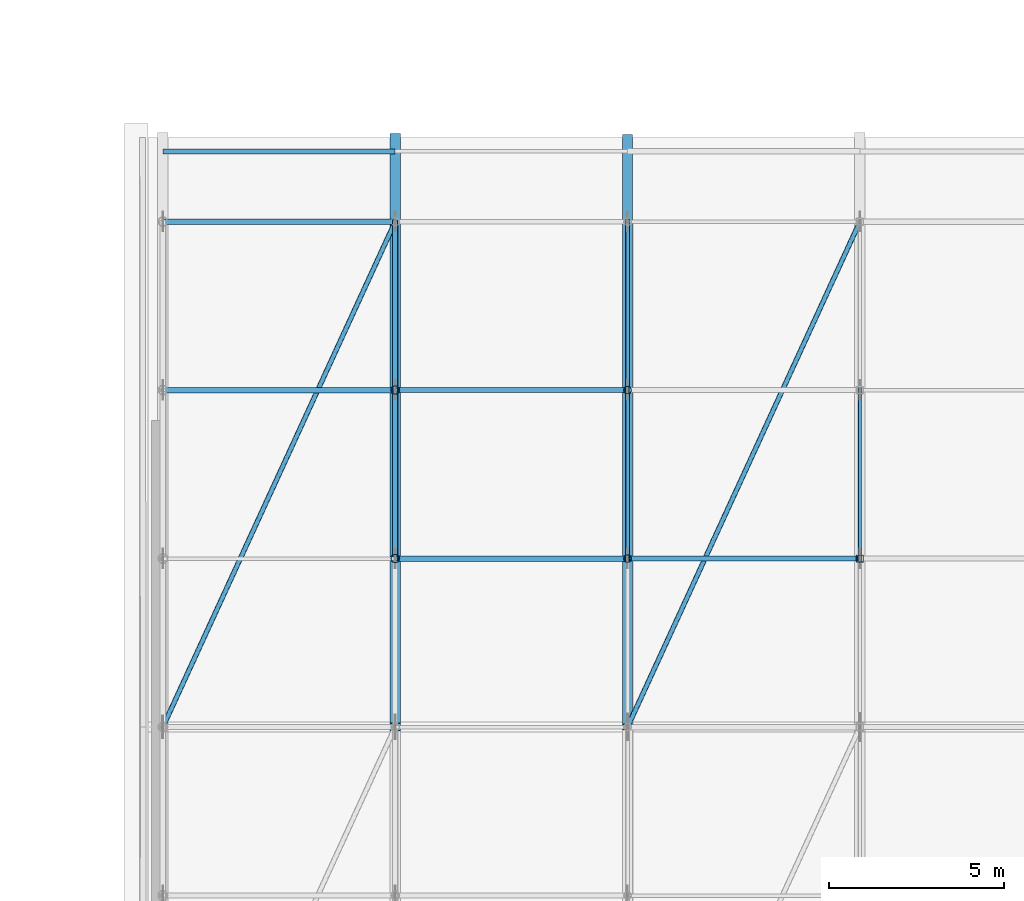
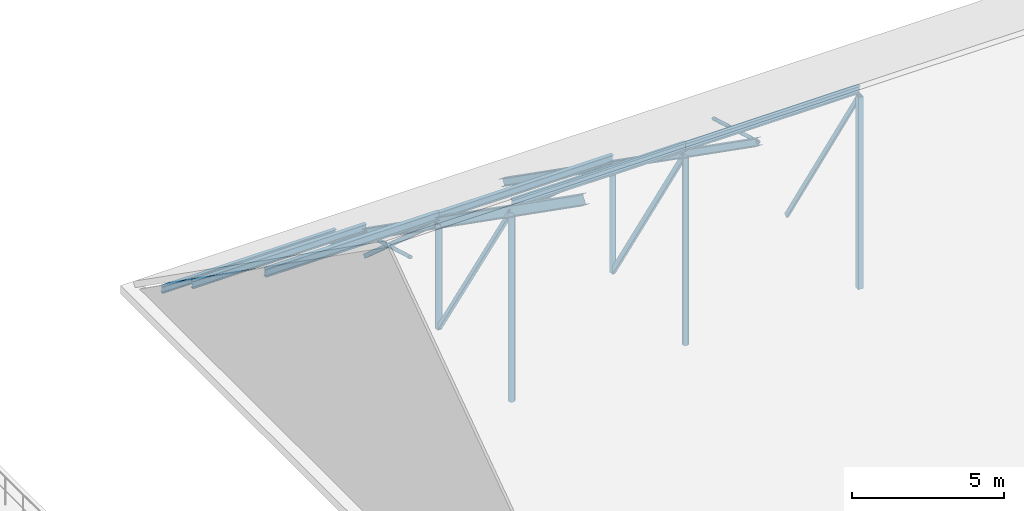
# One storey, part 62 of 134: 20 members.
"""IFC4 building model written with IfcOpenShell, lengths in metres."""

from ifc_helpers import new_model, si_unit, direction, frame, origin, origin_2d, place, context, subcontext, project, spatial, hollow_rectangle, hollow_circle, i_section, extrude, material, material_profile, profile_set, type_object, element, save


model = new_model("IFC4")

# Units and contexts
model_context = context("Model", 3, precision=1e-05, world=origin(), true_north=direction((0.0, 1.0)))
body_context = subcontext(model_context, "Body", "Model", "MODEL_VIEW")
ifc_project = project(units=[si_unit("LENGTHUNIT", "METRE"), si_unit("AREAUNIT", "SQUARE_METRE"), si_unit("VOLUMEUNIT", "CUBIC_METRE"), si_unit("PLANEANGLEUNIT", "RADIAN"), si_unit("MASSUNIT", "GRAM", prefix="KILO")], contexts=[model_context])

# Site, building, storey
site_placement = place(None, origin())
site = spatial("IfcSite", under=ifc_project, at=site_placement, CompositionType="ELEMENT")
building_placement = place(site_placement, origin())
building = spatial("IfcBuilding", under=site, at=building_placement, Name="Asteropetra Specialist Clinic", CompositionType="ELEMENT")
storey_placement = place(building_placement, frame((0.0, 0.0, 8.5)))
storey = spatial("IfcBuildingStorey", under=building, at=storey_placement, Name="L02", CompositionType="ELEMENT", Elevation=8.5)

# Members
ifc_material_1 = material(Name="Steel S355", Category="steel")
ifc_material_profile_1 = material_profile(ifc_material_1, hollow_circle(Radius=0.06982421875, WallThickness=0.008056640625, at=origin_2d()), Name="CHS 139.7x8.0")
ifc_profile_set_1 = profile_set([ifc_material_profile_1], Name="Steel S355")
member_type_1 = type_object("IfcMemberType", Name="TR-BRC-CHS139", PredefinedType="BRACE", material=ifc_profile_set_1)
for number, where, z_axis, x_axis, name in (
    (1, (86.89990234375, 91.199951171875, 11.4609375), (0.352109794098, 0.765912818458, -0.53795561845), (-0.908585056551, 0.417699886297, 0.0), "Roof Wind Brace TRV1-RB2-01"),
    (2, (100.139892578125, 91.199951171875, 11.4609375), (0.352109794098, 0.765912818458, -0.53795561845), (-0.908585056551, 0.417699886297, 0.0), "Roof Wind Brace TRV1-RB2-03"),
):
    element("IfcMember", number, at=place(storey_placement, frame(where, z_axis=z_axis, x_axis=x_axis)), inside=storey, type_object=member_type_1, Name=name, PredefinedType="BRACE", context=body_context, shape_type="SweptSolid", body=[
        extrude(hollow_circle(Radius=0.06982421875, WallThickness=0.008056640625, at=origin_2d()), origin(), (0.0, 0.0, 1.0), 18.80126953125),
    ])
ifc_material_2 = material(Name="Steel S355", Category="steel")
ifc_material_profile_2 = material_profile(ifc_material_2, hollow_rectangle(XDim=0.10009765625, YDim=0.179931640625, WallThickness=0.008056640625, InnerFilletRadius=0.008056640625, OuterFilletRadius=0.01611328125, at=origin_2d()), Name="RHS 180x100x8.0")
ifc_profile_set_2 = profile_set([ifc_material_profile_2], Name="Steel S355")
member_type_2 = type_object("IfcMemberType", Name="TR-BRC-RHS180", PredefinedType="BRACE", material=ifc_profile_set_2)
member_1_placement = place(storey_placement, frame((106.760009765625, 96.0, 8.089599609375), z_axis=(0.0, 0.528049301572, -0.849213715804), x_axis=(-1.0, 0.0, 0.0)))
element("IfcMember", 3, at=member_1_placement, inside=storey, type_object=member_type_2, Name="Truss Web Diagonal TRV1-D04-4", PredefinedType="BRACE", context=body_context, shape_type="SweptSolid", body=[
    extrude(hollow_rectangle(XDim=0.10009765625, YDim=0.179931640625, WallThickness=0.008056640625, InnerFilletRadius=0.008056640625, OuterFilletRadius=0.01611328125, at=origin_2d()), origin(), (0.0, 0.0, 1.0), 9.090087890625),
])
ifc_material_3 = material(Name="Steel S355", Category="steel")
ifc_material_profile_3 = material_profile(ifc_material_3, hollow_rectangle(XDim=0.1201171875, YDim=0.199951171875, WallThickness=0.010009765625, InnerFilletRadius=0.008056640625, OuterFilletRadius=0.01611328125, at=origin_2d()), Name="RHS 200x120x10.0")
ifc_profile_set_3 = profile_set([ifc_material_profile_3], Name="Steel S355")
member_type_3 = type_object("IfcMemberType", Name="TR-BRC-RHS200", PredefinedType="BRACE", material=ifc_profile_set_3)
member_2_placement = place(storey_placement, frame((100.139892578125, 96.0, 8.089599609375), z_axis=(0.0, 0.530515462614, -0.847675258532), x_axis=(-1.0, 0.0, 0.0)))
element("IfcMember", 4, at=member_2_placement, inside=storey, type_object=member_type_3, Name="Truss Web Diagonal TRV1-D03-4", PredefinedType="BRACE", context=body_context, shape_type="SweptSolid", body=[
    extrude(hollow_rectangle(XDim=0.1201171875, YDim=0.199951171875, WallThickness=0.010009765625, InnerFilletRadius=0.008056640625, OuterFilletRadius=0.01611328125, at=origin_2d()), origin(), (0.0, 0.0, 1.0), 9.0478515625),
])
member_3_placement = place(storey_placement, frame((100.139892578125, 100.800048828125, 4.718017578125), z_axis=(0.0, 0.744985578282, -0.66708057096), x_axis=(-1.0, 0.0, 0.0)))
element("IfcMember", 5, at=member_3_placement, inside=storey, type_object=member_type_3, Name="Truss Web Diagonal TRV1-D03-5", PredefinedType="BRACE", context=body_context, shape_type="SweptSolid", body=[
    extrude(hollow_rectangle(XDim=0.1201171875, YDim=0.199951171875, WallThickness=0.010009765625, InnerFilletRadius=0.008056640625, OuterFilletRadius=0.01611328125, at=origin_2d()), origin(), (0.0, 0.0, 1.0), 6.443115234375),
])
ifc_material_4 = material(Name="Steel S355", Category="steel")
ifc_material_profile_4 = material_profile(ifc_material_4, hollow_rectangle(XDim=0.159912109375, YDim=0.159912109375, WallThickness=0.008056640625, InnerFilletRadius=0.008056640625, OuterFilletRadius=0.01611328125, at=origin_2d()), Name="SHS 160x160x8.0")
ifc_profile_set_4 = profile_set([ifc_material_profile_4], Name="Steel S355")
member_type_4 = type_object("IfcMemberType", Name="TR-BRC-SHS160", PredefinedType="BRACE", material=ifc_profile_set_4)
member_4_placement = place(storey_placement, frame((93.52001953125, 96.0, 8.089599609375), z_axis=(0.0, 0.533012426562, -0.846107412289), x_axis=(-1.0, 0.0, 0.0)))
element("IfcMember", 6, at=member_4_placement, inside=storey, type_object=member_type_4, Name="Truss Web Diagonal TRV1-D02-4", PredefinedType="BRACE", context=body_context, shape_type="SweptSolid", body=[
    extrude(hollow_rectangle(XDim=0.159912109375, YDim=0.159912109375, WallThickness=0.008056640625, InnerFilletRadius=0.008056640625, OuterFilletRadius=0.01611328125, at=origin_2d()), origin(), (0.0, 0.0, 1.0), 9.005615234375),
])
member_5_placement = place(storey_placement, frame((93.52001953125, 100.800048828125, 4.718017578125), z_axis=(0.0, 0.748853326805, -0.662735765546), x_axis=(-1.0, 0.0, 0.0)))
element("IfcMember", 7, at=member_5_placement, inside=storey, type_object=member_type_4, Name="Truss Web Diagonal TRV1-D02-5", PredefinedType="BRACE", context=body_context, shape_type="SweptSolid", body=[
    extrude(hollow_rectangle(XDim=0.159912109375, YDim=0.159912109375, WallThickness=0.008056640625, InnerFilletRadius=0.008056640625, OuterFilletRadius=0.01611328125, at=origin_2d()), origin(), (0.0, 0.0, 1.0), 6.409912109375),
])
ifc_material_5 = material(Name="Steel S355", Category="steel")
ifc_material_profile_5 = material_profile(ifc_material_5, i_section(OverallWidth=0.300048828125, OverallDepth=0.389892578125, WebThickness=0.010986328125, FlangeThickness=0.01904296875, FilletRadius=0.027099609375, at=origin_2d()), Name="HEA 400")
ifc_profile_set_5 = profile_set([ifc_material_profile_5], Name="Steel S355")
member_type_5 = type_object("IfcMemberType", Name="TR-CHD-HEA400", PredefinedType="CHORD", material=ifc_profile_set_5)
member_6_placement = place(storey_placement, frame((93.52001953125, 91.199951171875, 11.4609375), z_axis=(0.0, 0.818315202226, -0.574769718936), x_axis=(-1.0, 0.0, 0.0)))
element("IfcMember", 8, at=member_6_placement, inside=storey, type_object=member_type_5, Name="Truss North Top Chord TRV1-TCN02", PredefinedType="CHORD", context=body_context, shape_type="SweptSolid", body=[
    extrude(i_section(OverallWidth=0.300048828125, OverallDepth=0.389892578125, WebThickness=0.010986328125, FlangeThickness=0.01904296875, FilletRadius=0.027099609375, at=origin_2d()), origin(), (0.0, 0.0, 1.0), 20.530029296875),
])
ifc_material_6 = material(Name="Steel S355", Category="steel")
ifc_material_profile_6 = material_profile(ifc_material_6, i_section(OverallWidth=0.280029296875, OverallDepth=0.280029296875, WebThickness=0.010498046875, FlangeThickness=0.01806640625, FilletRadius=0.02392578125, at=origin_2d()), Name="HEB 280")
ifc_profile_set_6 = profile_set([ifc_material_profile_6], Name="Steel S355")
member_type_6 = type_object("IfcMemberType", Name="TR-CHD-HEB280", PredefinedType="CHORD", material=ifc_profile_set_6)
member_7_placement = place(storey_placement, frame((100.139892578125, 91.199951171875, 11.4609375), z_axis=(0.0, 0.818315202226, -0.574769718936), x_axis=(-1.0, 0.0, 0.0)))
element("IfcMember", 9, at=member_7_placement, inside=storey, type_object=member_type_6, Name="Truss North Top Chord TRV1-TCN03", PredefinedType="CHORD", context=body_context, shape_type="SweptSolid", body=[
    extrude(i_section(OverallWidth=0.280029296875, OverallDepth=0.280029296875, WebThickness=0.010498046875, FlangeThickness=0.01806640625, FilletRadius=0.02392578125, at=origin_2d()), origin(), (0.0, 0.0, 1.0), 20.530029296875),
])
ifc_material_7 = material(Name="Steel S355", Category="steel")
ifc_material_profile_7 = material_profile(ifc_material_7, i_section(OverallWidth=0.135009765625, OverallDepth=0.27001953125, WebThickness=0.006591796875, FlangeThickness=0.01025390625, FilletRadius=0.014892578125, at=origin_2d()), Name="IPE 270")
ifc_profile_set_7 = profile_set([ifc_material_profile_7], Name="Steel S355")
member_type_7 = type_object("IfcMemberType", Name="TR-PUR-IPE270", PredefinedType="PURLIN", material=ifc_profile_set_7)
member_8_placement = place(storey_placement, frame((86.89990234375, 107.60009765625, 0.2119140625), z_axis=(1.0, 0.0, 0.0), x_axis=(0.0, 1.0, 0.0)))
element("IfcMember", 10, at=member_8_placement, inside=storey, type_object=member_type_7, Name="Roof Purlin TRV1-P01-09", PredefinedType="PURLIN", context=body_context, shape_type="SweptSolid", body=[
    extrude(i_section(OverallWidth=0.135009765625, OverallDepth=0.27001953125, WebThickness=0.006591796875, FlangeThickness=0.01025390625, FilletRadius=0.014892578125, at=origin_2d()), origin(), (0.0, 0.0, 1.0), 6.6201171875),
])
ifc_material_8 = material(Name="Steel S355", Category="steel")
ifc_material_profile_8 = material_profile(ifc_material_8, i_section(OverallWidth=0.14990234375, OverallDepth=0.300048828125, WebThickness=0.007080078125, FlangeThickness=0.0107421875, FilletRadius=0.014892578125, at=origin_2d()), Name="IPE 300")
ifc_profile_set_8 = profile_set([ifc_material_profile_8], Name="Steel S355")
member_type_8 = type_object("IfcMemberType", Name="TR-PUR-IPE300", PredefinedType="PURLIN", material=ifc_profile_set_8)
member_9_placement = place(storey_placement, frame((86.89990234375, 105.60009765625, 1.631591796875), z_axis=(1.0, 0.0, 0.0), x_axis=(0.0, 1.0, 0.0)))
element("IfcMember", 11, at=member_9_placement, inside=storey, type_object=member_type_8, Name="Roof Purlin TRV1-P01-08", PredefinedType="PURLIN", context=body_context, shape_type="SweptSolid", body=[
    extrude(i_section(OverallWidth=0.14990234375, OverallDepth=0.300048828125, WebThickness=0.007080078125, FlangeThickness=0.0107421875, FilletRadius=0.014892578125, at=origin_2d()), origin(), (0.0, 0.0, 1.0), 6.6201171875),
])
member_10_placement = place(storey_placement, frame((93.52001953125, 100.800048828125, 5.003173828125), z_axis=(1.0, 0.0, 0.0), x_axis=(0.0, 1.0, 0.0)))
element("IfcMember", 12, at=member_10_placement, inside=storey, type_object=member_type_8, Name="Roof Purlin TRV1-P02-07", PredefinedType="PURLIN", context=body_context, shape_type="SweptSolid", body=[
    extrude(i_section(OverallWidth=0.14990234375, OverallDepth=0.300048828125, WebThickness=0.007080078125, FlangeThickness=0.0107421875, FilletRadius=0.014892578125, at=origin_2d()), origin(), (0.0, 0.0, 1.0), 6.619873046875),
])
member_11_placement = place(storey_placement, frame((100.139892578125, 96.0, 8.37451171875), z_axis=(1.0, 0.0, 0.0), x_axis=(0.0, 1.0, 0.0)))
element("IfcMember", 13, at=member_11_placement, inside=storey, type_object=member_type_8, Name="Roof Purlin TRV1-P03-06", PredefinedType="PURLIN", context=body_context, shape_type="SweptSolid", body=[
    extrude(i_section(OverallWidth=0.14990234375, OverallDepth=0.300048828125, WebThickness=0.007080078125, FlangeThickness=0.0107421875, FilletRadius=0.014892578125, at=origin_2d()), origin(), (0.0, 0.0, 1.0), 6.6201171875),
])
ifc_material_9 = material(Name="Steel S355", Category="steel")
ifc_material_profile_9 = material_profile(ifc_material_9, i_section(OverallWidth=0.159912109375, OverallDepth=0.330078125, WebThickness=0.007568359375, FlangeThickness=0.011474609375, FilletRadius=0.01806640625, at=origin_2d()), Name="IPE 330")
ifc_profile_set_9 = profile_set([ifc_material_profile_9], Name="Steel S355")
member_type_9 = type_object("IfcMemberType", Name="TR-PUR-IPE330", PredefinedType="PURLIN", material=ifc_profile_set_9)
member_12_placement = place(storey_placement, frame((86.89990234375, 100.800048828125, 5.01806640625), z_axis=(1.0, 0.0, 0.0), x_axis=(0.0, 1.0, 0.0)))
element("IfcMember", 14, at=member_12_placement, inside=storey, type_object=member_type_9, Name="Roof Purlin TRV1-P01-07", PredefinedType="PURLIN", context=body_context, shape_type="SweptSolid", body=[
    extrude(i_section(OverallWidth=0.159912109375, OverallDepth=0.330078125, WebThickness=0.007568359375, FlangeThickness=0.011474609375, FilletRadius=0.01806640625, at=origin_2d()), origin(), (0.0, 0.0, 1.0), 6.6201171875),
])
member_13_placement = place(storey_placement, frame((93.52001953125, 96.0, 8.389404296875), z_axis=(1.0, 0.0, 0.0), x_axis=(0.0, 1.0, 0.0)))
element("IfcMember", 15, at=member_13_placement, inside=storey, type_object=member_type_9, Name="Roof Purlin TRV1-P02-06", PredefinedType="PURLIN", context=body_context, shape_type="SweptSolid", body=[
    extrude(i_section(OverallWidth=0.159912109375, OverallDepth=0.330078125, WebThickness=0.007568359375, FlangeThickness=0.011474609375, FilletRadius=0.01806640625, at=origin_2d()), origin(), (0.0, 0.0, 1.0), 6.619873046875),
])
ifc_material_10 = material(Name="Steel S355", Category="steel")
ifc_material_profile_10 = material_profile(ifc_material_10, hollow_circle(Radius=0.109619140625, WallThickness=0.010009765625, at=origin_2d()), Name="CHS 219.1x10.0")
ifc_profile_set_10 = profile_set([ifc_material_profile_10], Name="Steel S355")
member_type_10 = type_object("IfcMemberType", Name="TR-STR-CHS219", PredefinedType="STRUT", material=ifc_profile_set_10)
member_14_placement = place(storey_placement, frame((100.139892578125, 96.0, 0.419921875), z_axis=(0.0, 0.0, 1.0), x_axis=(1.0, 0.0, 0.0)))
element("IfcMember", 16, at=member_14_placement, inside=storey, type_object=member_type_10, Name="Truss Web Strut TRV1-V03-4", PredefinedType="STRUT", context=body_context, shape_type="SweptSolid", body=[
    extrude(hollow_circle(Radius=0.109619140625, WallThickness=0.010009765625, at=origin_2d()), origin(), (0.0, 0.0, 1.0), 7.669677734375),
])
member_15_placement = place(storey_placement, frame((100.139892578125, 100.800048828125, 0.419921875), z_axis=(0.0, 0.0, 1.0), x_axis=(1.0, 0.0, 0.0)))
element("IfcMember", 17, at=member_15_placement, inside=storey, type_object=member_type_10, Name="Truss Web Strut TRV1-V03-5", PredefinedType="STRUT", context=body_context, shape_type="SweptSolid", body=[
    extrude(hollow_circle(Radius=0.109619140625, WallThickness=0.010009765625, at=origin_2d()), origin(), (0.0, 0.0, 1.0), 4.298095703125),
])
ifc_material_11 = material(Name="Steel S355", Category="steel")
ifc_material_profile_11 = material_profile(ifc_material_11, hollow_circle(Radius=0.122314453125, WallThickness=0.012451171875, at=origin_2d()), Name="CHS 244.5x12.5")
ifc_profile_set_11 = profile_set([ifc_material_profile_11], Name="Steel S355")
member_type_11 = type_object("IfcMemberType", Name="TR-STR-CHS244", PredefinedType="STRUT", material=ifc_profile_set_11)
member_16_placement = place(storey_placement, frame((93.52001953125, 96.0, 0.469970703125), z_axis=(0.0, 0.0, 1.0), x_axis=(1.0, 0.0, 0.0)))
element("IfcMember", 18, at=member_16_placement, inside=storey, type_object=member_type_11, Name="Truss Web Strut TRV1-V02-4", PredefinedType="STRUT", context=body_context, shape_type="SweptSolid", body=[
    extrude(hollow_circle(Radius=0.122314453125, WallThickness=0.012451171875, at=origin_2d()), origin(), (0.0, 0.0, 1.0), 7.61962890625),
])
member_17_placement = place(storey_placement, frame((93.52001953125, 100.800048828125, 0.469970703125), z_axis=(0.0, 0.0, 1.0), x_axis=(1.0, 0.0, 0.0)))
element("IfcMember", 19, at=member_17_placement, inside=storey, type_object=member_type_11, Name="Truss Web Strut TRV1-V02-5", PredefinedType="STRUT", context=body_context, shape_type="SweptSolid", body=[
    extrude(hollow_circle(Radius=0.122314453125, WallThickness=0.012451171875, at=origin_2d()), origin(), (0.0, 0.0, 1.0), 4.248046875),
])
ifc_material_12 = material(Name="Steel S355", Category="steel")
ifc_material_profile_12 = material_profile(ifc_material_12, hollow_rectangle(XDim=0.199951171875, YDim=0.199951171875, WallThickness=0.010009765625, InnerFilletRadius=0.008056640625, OuterFilletRadius=0.01611328125, at=origin_2d()), Name="SHS 200x200x10.0")
ifc_profile_set_12 = profile_set([ifc_material_profile_12], Name="Steel S355")
member_type_12 = type_object("IfcMemberType", Name="TR-STR-SHS200", PredefinedType="STRUT", material=ifc_profile_set_12)
member_18_placement = place(storey_placement, frame((106.760009765625, 96.0, 0.3701171875), z_axis=(0.0, 0.0, 1.0), x_axis=(1.0, 0.0, 0.0)))
element("IfcMember", 20, at=member_18_placement, inside=storey, type_object=member_type_12, Name="Truss Web Strut TRV1-V04-4", PredefinedType="STRUT", context=body_context, shape_type="SweptSolid", body=[
    extrude(hollow_rectangle(XDim=0.199951171875, YDim=0.199951171875, WallThickness=0.010009765625, InnerFilletRadius=0.008056640625, OuterFilletRadius=0.01611328125, at=origin_2d()), origin(), (0.0, 0.0, 1.0), 7.719482421875),
])

save(model, "model.ifc")
